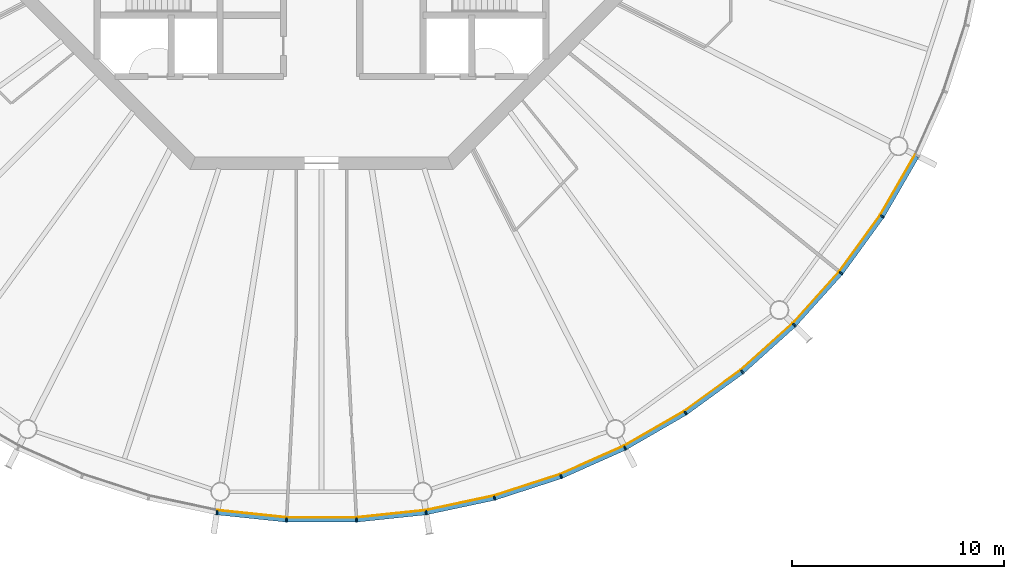
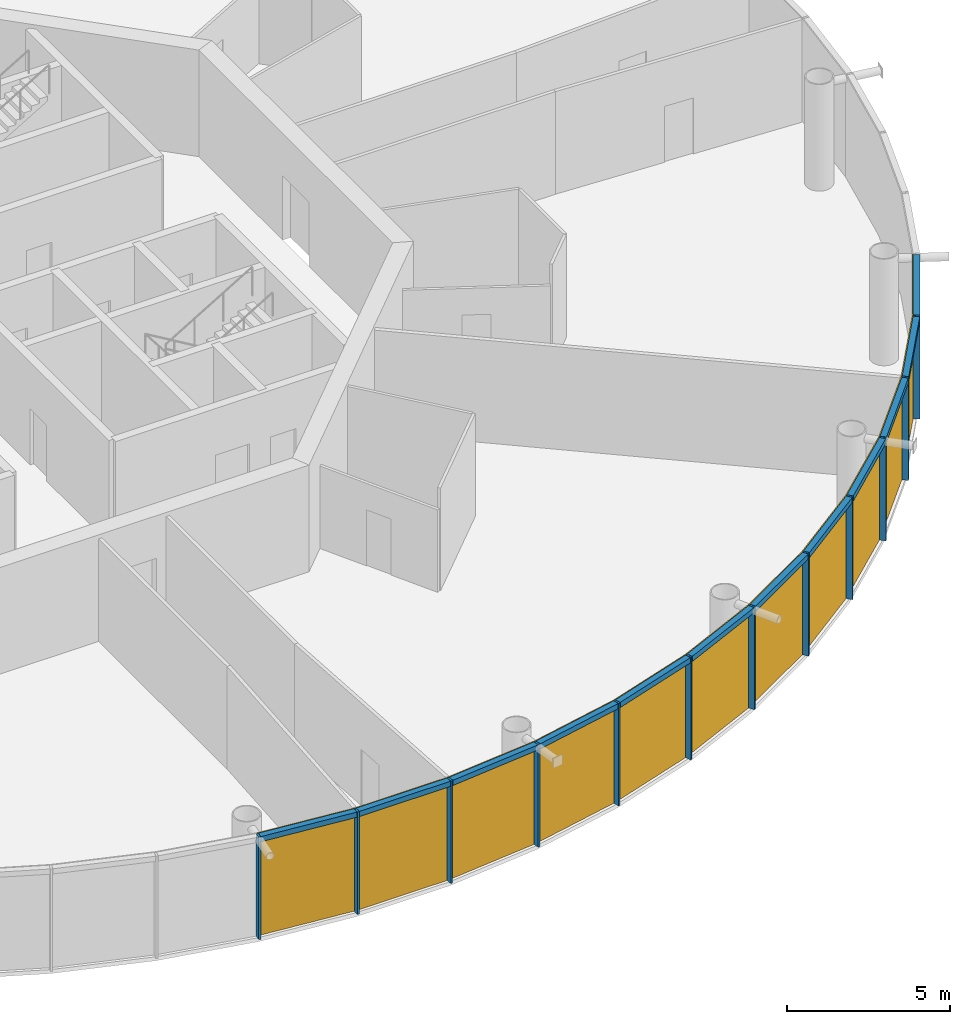
# One storey, part 13 of 18: 24 members, 4 curtain walls.
"""IFC4 building model written with IfcOpenShell, lengths in metres."""

from ifc_helpers import new_model, si_unit, direction, frame, origin, origin_2d, place, context, subcontext, project, spatial, polyline, rectangle, outline, extrude, material, layer, layer_set, material_profile, profile_set, type_object, element, aggregate, save


model = new_model("IFC4")

# Units and contexts
model_context = context("Model", 3, precision=1e-05, world=origin(), true_north=direction((0.0, 1.0)))
body_context = subcontext(model_context, "Body", "Model", "MODEL_VIEW")
ifc_project = project(units=[si_unit("LENGTHUNIT", "METRE"), si_unit("AREAUNIT", "SQUARE_METRE"), si_unit("VOLUMEUNIT", "CUBIC_METRE"), si_unit("PLANEANGLEUNIT", "RADIAN"), si_unit("MASSUNIT", "GRAM", prefix="KILO")], contexts=[model_context])

# Member
ifc_material_1 = material(Name="Anodised aluminium", Category="aluminium")
ifc_material_profile_1 = material_profile(ifc_material_1, rectangle(XDim=0.070068359375, YDim=0.205078125, at=origin_2d()), Name="Mullion 70 x 205 mm anodised aluminium")
ifc_profile_set_1 = profile_set([ifc_material_profile_1], Name="Anodised aluminium")
member_type_1 = type_object("IfcMemberType", Name="Mullion 70 x 205 mm anodised aluminium", PredefinedType="MULLION", material=ifc_profile_set_1)
site_placement = place(None, origin())
building_placement = place(site_placement, origin())
storey_placement = place(building_placement, frame((0.0, 0.0, 352.0)))
member_1_placement = place(storey_placement, frame((85.056396484375, 48.78662109375, 0.0), z_axis=(0.0, 0.0, 1.0), x_axis=(0.987688340595, -0.15643446504, 0.0)))
member_1 = element("IfcMember", 1, at=member_1_placement, type_object=member_type_1, Name="MULLION L81-42", PredefinedType="MULLION", context=body_context, shape_type="SweptSolid", body=[
    extrude(rectangle(XDim=0.070068359375, YDim=0.205078125, at=origin_2d()), origin(), (0.0, 0.0, 1.0), 3.85009765625),
])

member_2_placement = place(storey_placement, frame((88.345947265625, 48.44091796875, 0.0), z_axis=(0.0, 0.0, 1.0), x_axis=(0.998629534755, -0.052335956243, 0.0)))
member_2 = element("IfcMember", 2, at=member_2_placement, type_object=member_type_1, Name="MULLION L81-43", PredefinedType="MULLION", context=body_context, shape_type="SweptSolid", body=[
    extrude(rectangle(XDim=0.070068359375, YDim=0.205078125, at=origin_2d()), origin(), (0.0, 0.0, 1.0), 3.85009765625),
])

member_3_placement = place(storey_placement, frame((91.654052734375, 48.44091796875, 0.0), z_axis=(0.0, 0.0, 1.0), x_axis=(0.998629534755, 0.052335956243, 0.0)))
member_3 = element("IfcMember", 3, at=member_3_placement, type_object=member_type_1, Name="MULLION L81-44", PredefinedType="MULLION", context=body_context, shape_type="SweptSolid", body=[
    extrude(rectangle(XDim=0.070068359375, YDim=0.205078125, at=origin_2d()), origin(), (0.0, 0.0, 1.0), 3.85009765625),
])

member_4_placement = place(storey_placement, frame((94.943603515625, 48.78662109375, 0.0), z_axis=(0.0, 0.0, 1.0), x_axis=(0.987688340595, 0.15643446504, 0.0)))
member_4 = element("IfcMember", 4, at=member_4_placement, type_object=member_type_1, Name="MULLION L81-45", PredefinedType="MULLION", context=body_context, shape_type="SweptSolid", body=[
    extrude(rectangle(XDim=0.070068359375, YDim=0.205078125, at=origin_2d()), origin(), (0.0, 0.0, 1.0), 3.85009765625),
])

member_5_placement = place(storey_placement, frame((98.179443359375, 49.474365234375, 0.0), z_axis=(0.0, 0.0, 1.0), x_axis=(0.965925826289, 0.258819045103, 0.0)))
member_5 = element("IfcMember", 5, at=member_5_placement, type_object=member_type_1, Name="MULLION L81-46", PredefinedType="MULLION", context=body_context, shape_type="SweptSolid", body=[
    extrude(rectangle(XDim=0.070068359375, YDim=0.205078125, at=origin_2d()), origin(), (0.0, 0.0, 1.0), 3.85009765625),
])

member_6_placement = place(storey_placement, frame((101.325439453125, 50.49658203125, 0.0), z_axis=(0.0, 0.0, 1.0), x_axis=(0.933580426497, 0.358367949545, 0.0)))
member_6 = element("IfcMember", 6, at=member_6_placement, type_object=member_type_1, Name="MULLION L81-47", PredefinedType="MULLION", context=body_context, shape_type="SweptSolid", body=[
    extrude(rectangle(XDim=0.070068359375, YDim=0.205078125, at=origin_2d()), origin(), (0.0, 0.0, 1.0), 3.85009765625),
])

member_7_placement = place(storey_placement, frame((104.34716796875, 51.842041015625, 0.0), z_axis=(0.0, 0.0, 1.0), x_axis=(0.891006524188, 0.45399049974, 0.0)))
member_7 = element("IfcMember", 7, at=member_7_placement, type_object=member_type_1, Name="MULLION L81-48", PredefinedType="MULLION", context=body_context, shape_type="SweptSolid", body=[
    extrude(rectangle(XDim=0.070068359375, YDim=0.205078125, at=origin_2d()), origin(), (0.0, 0.0, 1.0), 3.85009765625),
])

member_8_placement = place(storey_placement, frame((107.2119140625, 53.495849609375, 0.0), z_axis=(0.0, 0.0, 1.0), x_axis=(0.838670567945, 0.544639035015, 0.0)))
member_8 = element("IfcMember", 8, at=member_8_placement, type_object=member_type_1, Name="MULLION L81-49", PredefinedType="MULLION", context=body_context, shape_type="SweptSolid", body=[
    extrude(rectangle(XDim=0.070068359375, YDim=0.205078125, at=origin_2d()), origin(), (0.0, 0.0, 1.0), 3.85009765625),
])

member_9_placement = place(storey_placement, frame((109.88818359375, 55.440185546875, 0.0), z_axis=(0.0, 0.0, 1.0), x_axis=(0.777145961457, 0.62932039105, 0.0)))
member_9 = element("IfcMember", 9, at=member_9_placement, type_object=member_type_1, Name="MULLION L81-50", PredefinedType="MULLION", context=body_context, shape_type="SweptSolid", body=[
    extrude(rectangle(XDim=0.070068359375, YDim=0.205078125, at=origin_2d()), origin(), (0.0, 0.0, 1.0), 3.85009765625),
])

member_10_placement = place(storey_placement, frame((112.346435546875, 57.653564453125, 0.0), z_axis=(0.0, 0.0, 1.0), x_axis=(0.707106781187, 0.707106781187, 0.0)))
member_10 = element("IfcMember", 10, at=member_10_placement, type_object=member_type_1, Name="MULLION L81-51", PredefinedType="MULLION", context=body_context, shape_type="SweptSolid", body=[
    extrude(rectangle(XDim=0.070068359375, YDim=0.205078125, at=origin_2d()), origin(), (0.0, 0.0, 1.0), 3.85009765625),
])

member_11_placement = place(storey_placement, frame((114.559814453125, 60.11181640625, 0.0), z_axis=(0.0, 0.0, 1.0), x_axis=(0.62932039105, 0.777145961457, 0.0)))
member_11 = element("IfcMember", 11, at=member_11_placement, type_object=member_type_1, Name="MULLION L81-52", PredefinedType="MULLION", context=body_context, shape_type="SweptSolid", body=[
    extrude(rectangle(XDim=0.070068359375, YDim=0.205078125, at=origin_2d()), origin(), (0.0, 0.0, 1.0), 3.85009765625),
])

member_12_placement = place(storey_placement, frame((116.504150390625, 62.7880859375, 0.0), z_axis=(0.0, 0.0, 1.0), x_axis=(0.544639035015, 0.838670567945, 0.0)))
member_12 = element("IfcMember", 12, at=member_12_placement, type_object=member_type_1, Name="MULLION L81-53", PredefinedType="MULLION", context=body_context, shape_type="SweptSolid", body=[
    extrude(rectangle(XDim=0.070068359375, YDim=0.205078125, at=origin_2d()), origin(), (0.0, 0.0, 1.0), 3.85009765625),
])

ifc_material_2 = material(Name="Anodised aluminium", Category="aluminium")
ifc_material_profile_2 = material_profile(ifc_material_2, rectangle(XDim=0.205078125, YDim=0.195068359375, at=origin_2d()), Name="Transom 195 x 205 mm anodised aluminium")
ifc_profile_set_2 = profile_set([ifc_material_profile_2], Name="Anodised aluminium")
member_type_2 = type_object("IfcMemberType", Name="Transom 195 x 205 mm anodised aluminium", PredefinedType="USERDEFINED", material=ifc_profile_set_2)
member_13_placement = place(storey_placement, frame((85.096435546875, 48.7822265625, 3.75244140625), z_axis=(0.994519537956, -0.104550890115, 0.0), x_axis=(0.104550890115, 0.994519537956, 0.0)))
member_13 = element("IfcMember", 13, at=member_13_placement, type_object=member_type_2, Name="TRANSOM L81-42", ObjectType="TRANSOM", PredefinedType="USERDEFINED", context=body_context, shape_type="SweptSolid", body=[
    extrude(rectangle(XDim=0.205078125, YDim=0.195068359375, at=origin_2d()), origin(), (0.0, 0.0, 1.0), 3.22705078125),
])

member_14_placement = place(storey_placement, frame((88.386474609375, 48.440673828125, 3.75244140625), z_axis=(1.0, 0.0, 0.0), x_axis=(0.0, 1.0, 0.0)))
member_14 = element("IfcMember", 14, at=member_14_placement, type_object=member_type_2, Name="TRANSOM L81-43", ObjectType="TRANSOM", PredefinedType="USERDEFINED", context=body_context, shape_type="SweptSolid", body=[
    extrude(rectangle(XDim=0.205078125, YDim=0.195068359375, at=origin_2d()), origin(), (0.0, 0.0, 1.0), 3.22705078125),
])

member_15_placement = place(storey_placement, frame((91.694091796875, 48.44482421875, 3.75244140625), z_axis=(0.994519537956, 0.104550890115, 0.0), x_axis=(-0.104550890115, 0.994519537956, 0.0)))
member_15 = element("IfcMember", 15, at=member_15_placement, type_object=member_type_2, Name="TRANSOM L81-44", ObjectType="TRANSOM", PredefinedType="USERDEFINED", context=body_context, shape_type="SweptSolid", body=[
    extrude(rectangle(XDim=0.205078125, YDim=0.195068359375, at=origin_2d()), origin(), (0.0, 0.0, 1.0), 3.22705078125),
])

member_16_placement = place(storey_placement, frame((94.983154296875, 48.794921875, 3.75244140625), z_axis=(0.978153082647, 0.207885898771, 0.0), x_axis=(-0.207885898771, 0.978153082647, 0.0)))
member_16 = element("IfcMember", 16, at=member_16_placement, type_object=member_type_2, Name="TRANSOM L81-45", ObjectType="TRANSOM", PredefinedType="USERDEFINED", context=body_context, shape_type="SweptSolid", body=[
    extrude(rectangle(XDim=0.205078125, YDim=0.195068359375, at=origin_2d()), origin(), (0.0, 0.0, 1.0), 3.227294921875),
])

member_17_placement = place(storey_placement, frame((98.2177734375, 49.486572265625, 3.75244140625), z_axis=(0.951046855117, 0.309046726844, 0.0), x_axis=(-0.309046726844, 0.951046855117, 0.0)))
member_17 = element("IfcMember", 17, at=member_17_placement, type_object=member_type_2, Name="TRANSOM L81-46", ObjectType="TRANSOM", PredefinedType="USERDEFINED", context=body_context, shape_type="SweptSolid", body=[
    extrude(rectangle(XDim=0.205078125, YDim=0.195068359375, at=origin_2d()), origin(), (0.0, 0.0, 1.0), 3.22705078125),
])

member_18_placement = place(storey_placement, frame((101.3623046875, 50.5126953125, 3.75244140625), z_axis=(0.913521178731, 0.406791170024, 0.0), x_axis=(-0.406791170024, 0.913521178731, 0.0)))
member_18 = element("IfcMember", 18, at=member_18_placement, type_object=member_type_2, Name="TRANSOM L81-47", ObjectType="TRANSOM", PredefinedType="USERDEFINED", context=body_context, shape_type="SweptSolid", body=[
    extrude(rectangle(XDim=0.205078125, YDim=0.195068359375, at=origin_2d()), origin(), (0.0, 0.0, 1.0), 3.22705078125),
])

member_19_placement = place(storey_placement, frame((104.38232421875, 51.862060546875, 3.75244140625), z_axis=(0.866023062494, 0.500004055213, 0.0), x_axis=(-0.500004055213, 0.866023062494, 0.0)))
member_19 = element("IfcMember", 19, at=member_19_placement, type_object=member_type_2, Name="TRANSOM L81-48", ObjectType="TRANSOM", PredefinedType="USERDEFINED", context=body_context, shape_type="SweptSolid", body=[
    extrude(rectangle(XDim=0.205078125, YDim=0.195068359375, at=origin_2d()), origin(), (0.0, 0.0, 1.0), 3.22705078125),
])

member_20_placement = place(storey_placement, frame((107.24462890625, 53.51953125, 3.75244140625), z_axis=(0.809004252048, 0.587802790201, 0.0), x_axis=(-0.587802790201, 0.809004252048, 0.0)))
member_20 = element("IfcMember", 20, at=member_20_placement, type_object=member_type_2, Name="TRANSOM L81-49", ObjectType="TRANSOM", PredefinedType="USERDEFINED", context=body_context, shape_type="SweptSolid", body=[
    extrude(rectangle(XDim=0.205078125, YDim=0.195068359375, at=origin_2d()), origin(), (0.0, 0.0, 1.0), 3.227294921875),
])

member_21_placement = place(storey_placement, frame((109.918212890625, 55.467041015625, 3.75244140625), z_axis=(0.743132370743, 0.669144438484, 0.0), x_axis=(-0.669144438484, 0.743132370743, 0.0)))
member_21 = element("IfcMember", 21, at=member_21_placement, type_object=member_type_2, Name="TRANSOM L81-50", ObjectType="TRANSOM", PredefinedType="USERDEFINED", context=body_context, shape_type="SweptSolid", body=[
    extrude(rectangle(XDim=0.205078125, YDim=0.195068359375, at=origin_2d()), origin(), (0.0, 0.0, 1.0), 3.22705078125),
])

member_22_placement = place(storey_placement, frame((112.37353515625, 57.68359375, 3.75244140625), z_axis=(0.669144438484, 0.743132370743, 0.0), x_axis=(-0.743132370743, 0.669144438484, 0.0)))
member_22 = element("IfcMember", 22, at=member_22_placement, type_object=member_type_2, Name="TRANSOM L81-51", ObjectType="TRANSOM", PredefinedType="USERDEFINED", context=body_context, shape_type="SweptSolid", body=[
    extrude(rectangle(XDim=0.205078125, YDim=0.195068359375, at=origin_2d()), origin(), (0.0, 0.0, 1.0), 3.22705078125),
])

member_23_placement = place(storey_placement, frame((114.58349609375, 60.14453125, 3.75244140625), z_axis=(0.587802790201, 0.809004252048, 0.0), x_axis=(-0.809004252048, 0.587802790201, 0.0)))
member_23 = element("IfcMember", 23, at=member_23_placement, type_object=member_type_2, Name="TRANSOM L81-52", ObjectType="TRANSOM", PredefinedType="USERDEFINED", context=body_context, shape_type="SweptSolid", body=[
    extrude(rectangle(XDim=0.205078125, YDim=0.195068359375, at=origin_2d()), origin(), (0.0, 0.0, 1.0), 3.227294921875),
])

member_24_placement = place(storey_placement, frame((116.5244140625, 62.822998046875, 3.75244140625), z_axis=(0.500004055213, 0.866023062494, 0.0), x_axis=(-0.866023062494, 0.500004055213, 0.0)))
member_24 = element("IfcMember", 24, at=member_24_placement, type_object=member_type_2, Name="TRANSOM L81-53", ObjectType="TRANSOM", PredefinedType="USERDEFINED", context=body_context, shape_type="SweptSolid", body=[
    extrude(rectangle(XDim=0.205078125, YDim=0.195068359375, at=origin_2d()), origin(), (0.0, 0.0, 1.0), 3.22705078125),
])

# Site, building, storey
site = spatial("IfcSite", under=ifc_project, at=site_placement, CompositionType="ELEMENT")
building = spatial("IfcBuilding", under=site, at=building_placement, Name="Entoto Ring Tower", CompositionType="ELEMENT")
storey = spatial("IfcBuildingStorey", under=building, at=storey_placement, Name="L81", CompositionType="ELEMENT", Elevation=352.0)

# Curtain wall
ifc_material_3 = material(Name="Clear low-iron glass", Category="glass")
ifc_layer = layer(ifc_material_3, 0.035888671875)
ifc_layer_set = layer_set([ifc_layer], Name="Clear low-iron glass")
curtain_wall_type = type_object("IfcCurtainWallType", Name="Curtain wall system CW6 glazing 36 mm", PredefinedType="NOTDEFINED", material=ifc_layer_set)
curtain_wall_1_placement = place(storey_placement, origin())
curtain_wall_1 = element("IfcCurtainWall", 25, at=curtain_wall_1_placement, inside=storey, type_object=curtain_wall_type, Name="CW6 L81-15", PredefinedType="NOTDEFINED", context=body_context, shape_type="SweptSolid", body=[
    extrude(outline(polyline([(85.072265625, 48.8876953125), (88.351318359375, 48.543212890625), (91.648681640625, 48.543212890625), (94.927734375, 48.8876953125), (94.922119140625, 48.92333984375), (91.646728515625, 48.5791015625), (88.353271484375, 48.5791015625), (85.077880859375, 48.92333984375), (85.072265625, 48.8876953125)])), origin(), (0.0, 0.0, 1.0), 3.85009765625),
])

aggregate(curtain_wall_1, [member_1, member_2, member_3, member_13, member_14, member_15])

curtain_wall_2_placement = place(storey_placement, origin())
curtain_wall_2 = element("IfcCurtainWall", 26, at=curtain_wall_2_placement, inside=storey, type_object=curtain_wall_type, Name="CW6 L81-16", PredefinedType="NOTDEFINED", context=body_context, shape_type="SweptSolid", body=[
    extrude(outline(polyline([(94.927734375, 48.8876953125), (98.15283203125, 49.5732421875), (101.28857421875, 50.59228515625), (104.30078125, 51.933349609375), (104.284423828125, 51.96533203125), (101.275634765625, 50.6259765625), (98.1435546875, 49.608154296875), (94.922119140625, 48.92333984375), (94.927734375, 48.8876953125)])), origin(), (0.0, 0.0, 1.0), 3.85009765625),
])

aggregate(curtain_wall_2, [member_4, member_5, member_6, member_16, member_17, member_18])

curtain_wall_3_placement = place(storey_placement, origin())
curtain_wall_3 = element("IfcCurtainWall", 27, at=curtain_wall_3_placement, inside=storey, type_object=curtain_wall_type, Name="CW6 L81-17", PredefinedType="NOTDEFINED", context=body_context, shape_type="SweptSolid", body=[
    extrude(outline(polyline([(104.30078125, 51.933349609375), (107.15625, 53.581787109375), (109.823486328125, 55.52001953125), (112.27392578125, 57.72607421875), (112.248291015625, 57.751708984375), (109.801025390625, 55.5478515625), (107.136474609375, 53.612060546875), (104.284423828125, 51.96533203125), (104.30078125, 51.933349609375)])), origin(), (0.0, 0.0, 1.0), 3.85009765625),
])

aggregate(curtain_wall_3, [member_7, member_8, member_9, member_19, member_20, member_21])

curtain_wall_4_placement = place(storey_placement, origin())
curtain_wall_4 = element("IfcCurtainWall", 28, at=curtain_wall_4_placement, inside=storey, type_object=curtain_wall_type, Name="CW6 L81-18", PredefinedType="NOTDEFINED", context=body_context, shape_type="SweptSolid", body=[
    extrude(outline(polyline([(112.27392578125, 57.72607421875), (114.47998046875, 60.176513671875), (116.418212890625, 62.84375), (118.066650390625, 65.69921875), (118.03466796875, 65.715576171875), (116.387939453125, 62.863525390625), (114.4521484375, 60.198974609375), (112.248291015625, 57.751708984375), (112.27392578125, 57.72607421875)])), origin(), (0.0, 0.0, 1.0), 3.85009765625),
])

aggregate(curtain_wall_4, [member_10, member_11, member_12, member_22, member_23, member_24])

save(model, "model.ifc")
